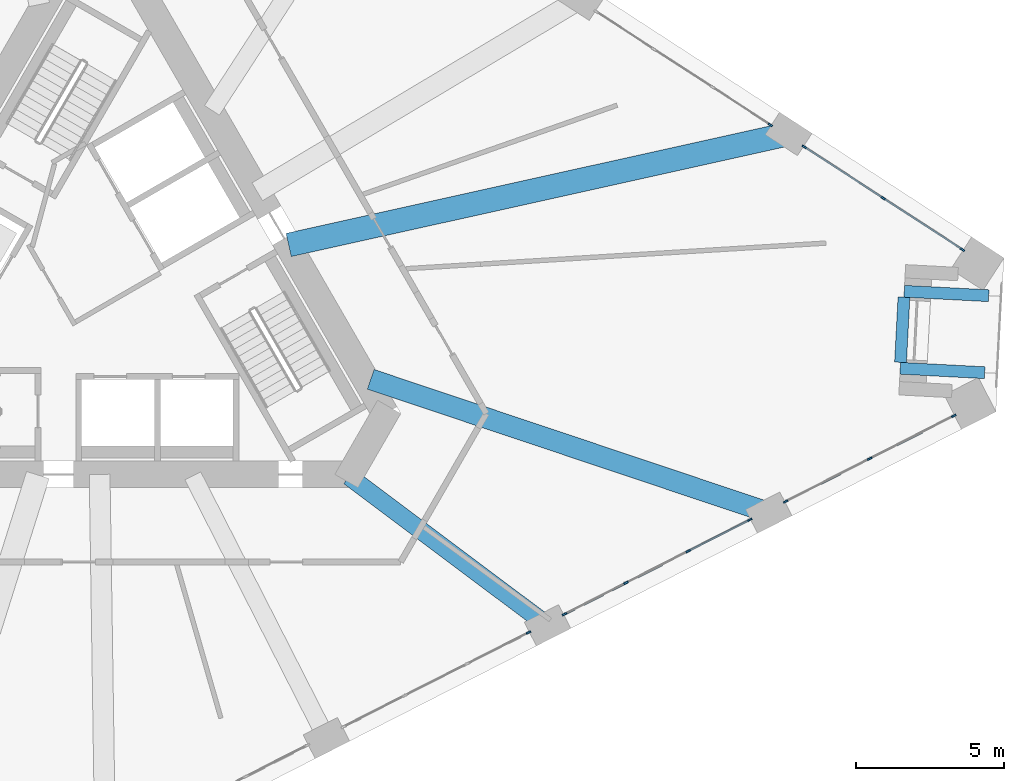
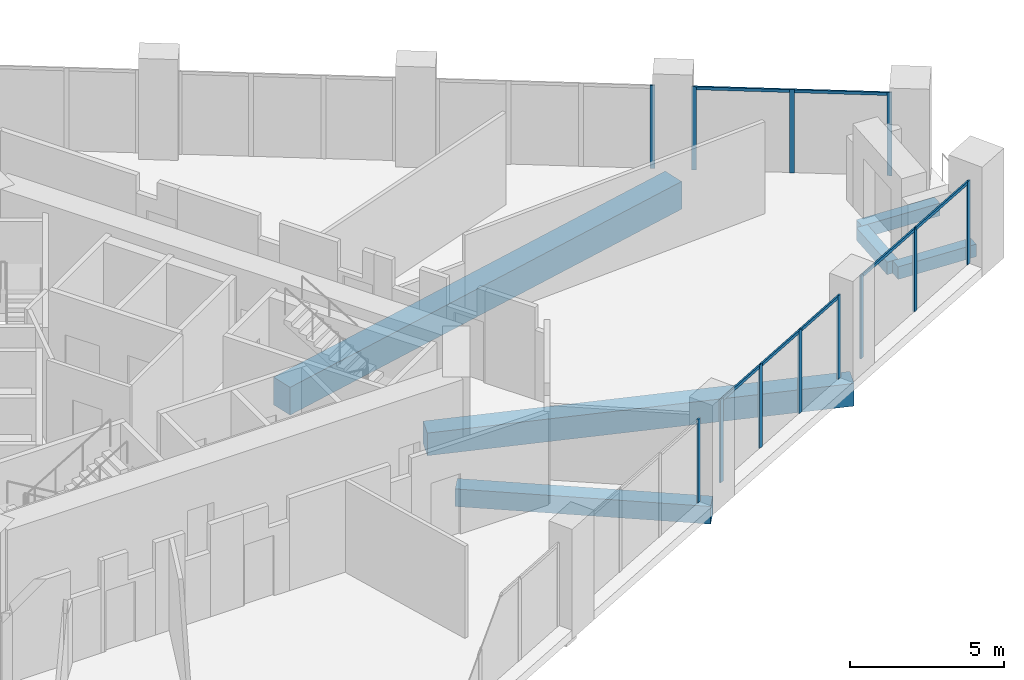
# One storey, part 5 of 18: 19 members, 6 beams, 5 elements without a shape of their own.
"""IFC4 building model written with IfcOpenShell, lengths in metres."""

from ifc_helpers import new_model, si_unit, direction, frame, origin, origin_2d, place, context, subcontext, project, spatial, rectangle, extrude, material, layer, layer_set, material_profile, profile_set, type_object, element, aggregate, save


model = new_model("IFC4")

# Units and contexts
model_context = context("Model", 3, precision=1e-05, world=origin(), true_north=direction((0.0, 1.0)))
body_context = subcontext(model_context, "Body", "Model", "MODEL_VIEW")
ifc_project = project(units=[si_unit("LENGTHUNIT", "METRE"), si_unit("AREAUNIT", "SQUARE_METRE"), si_unit("VOLUMEUNIT", "CUBIC_METRE"), si_unit("PLANEANGLEUNIT", "RADIAN"), si_unit("MASSUNIT", "GRAM", prefix="KILO")], contexts=[model_context])

# Site, building, storey
site_placement = place(None, origin())
site = spatial("IfcSite", under=ifc_project, at=site_placement, CompositionType="ELEMENT")
building_placement = place(site_placement, origin())
building = spatial("IfcBuilding", under=site, at=building_placement, Name="Tramontana Tower", CompositionType="ELEMENT")
storey_placement = place(building_placement, frame((0.0, 0.0, 125.60009765625)))
storey = spatial("IfcBuildingStorey", under=building, at=storey_placement, Name="L28", CompositionType="ELEMENT", Elevation=125.60009765625)

# Curtain wall, member
ifc_material_1 = material(Name="Aluminum extrusion", Category="aluminium")
ifc_layer = layer(ifc_material_1, 0.14990234375)
ifc_layer_set = layer_set([ifc_layer], Name="CW3 Sky lobby 1 curtain wall")
curtain_wall_type = type_object("IfcCurtainWallType", Name="CW3 Sky lobby 1 curtain wall", PredefinedType="NOTDEFINED", material=ifc_layer_set)
curtain_wall_1_placement = place(storey_placement, origin())
curtain_wall_1 = element("IfcCurtainWall", 1, at=curtain_wall_1_placement, inside=storey, type_object=curtain_wall_type, Name="CW3 curtain wall L28 face 1 bay 4", PredefinedType="NOTDEFINED")
ifc_material_2 = material(Name="Aluminum extrusion", Category="aluminium")
ifc_material_profile_1 = material_profile(ifc_material_2, rectangle(XDim=0.06005859375, YDim=0.159912109375, at=origin_2d()), Name="CW3-M Mullion 60 x 160")
ifc_profile_set_1 = profile_set([ifc_material_profile_1], Name="Aluminum extrusion")
member_type_1 = type_object("IfcMemberType", Name="CW3-M Mullion 60 x 160", PredefinedType="MULLION", material=ifc_profile_set_1)
member_1_placement = place(storey_placement, frame((14.559814453125, -11.6328125, 0.0), z_axis=(0.0, 0.0, 1.0), x_axis=(-0.45399049974, 0.891006524188, 0.0)))
member_1 = element("IfcMember", 2, at=member_1_placement, type_object=member_type_1, Name="CW3 curtain wall L28 face 1 bay 4 mullion 4", PredefinedType="MULLION", context=body_context, shape_type="SweptSolid", body=[
    extrude(rectangle(XDim=0.06005859375, YDim=0.159912109375, at=origin_2d()), origin(), (0.0, 0.0, 1.0), 3.2998046875),
])
aggregate(curtain_wall_1, [member_1])

# Curtain wall, members
curtain_wall_2_placement = place(storey_placement, origin())
curtain_wall_2 = element("IfcCurtainWall", 3, at=curtain_wall_2_placement, inside=storey, type_object=curtain_wall_type, Name="CW3 curtain wall L28 face 1 bay 5", PredefinedType="NOTDEFINED")
member_2_placement = place(storey_placement, frame((15.771484375, -11.015625, 0.0), z_axis=(0.0, 0.0, 1.0), x_axis=(-0.45399049974, 0.891006524188, 0.0)))
member_2 = element("IfcMember", 4, at=member_2_placement, type_object=member_type_1, Name="CW3 curtain wall L28 face 1 bay 5 mullion 1", PredefinedType="MULLION", context=body_context, shape_type="SweptSolid", body=[
    extrude(rectangle(XDim=0.06005859375, YDim=0.159912109375, at=origin_2d()), origin(), (0.0, 0.0, 1.0), 3.2998046875),
])
member_3_placement = place(storey_placement, frame((17.844970703125, -9.958984375, 0.0), z_axis=(0.0, 0.0, 1.0), x_axis=(-0.45399049974, 0.891006524188, 0.0)))
member_3 = element("IfcMember", 5, at=member_3_placement, type_object=member_type_1, Name="CW3 curtain wall L28 face 1 bay 5 mullion 2", PredefinedType="MULLION", context=body_context, shape_type="SweptSolid", body=[
    extrude(rectangle(XDim=0.06005859375, YDim=0.159912109375, at=origin_2d()), origin(), (0.0, 0.0, 1.0), 3.2998046875),
])
member_4_placement = place(storey_placement, frame((19.9453125, -8.888916015625, 0.0), z_axis=(0.0, 0.0, 1.0), x_axis=(-0.45399049974, 0.891006524188, 0.0)))
member_4 = element("IfcMember", 6, at=member_4_placement, type_object=member_type_1, Name="CW3 curtain wall L28 face 1 bay 5 mullion 3", PredefinedType="MULLION", context=body_context, shape_type="SweptSolid", body=[
    extrude(rectangle(XDim=0.06005859375, YDim=0.159912109375, at=origin_2d()), origin(), (0.0, 0.0, 1.0), 3.2998046875),
])
member_5_placement = place(storey_placement, frame((22.018798828125, -7.832275390625, 0.0), z_axis=(0.0, 0.0, 1.0), x_axis=(-0.45399049974, 0.891006524188, 0.0)))
member_5 = element("IfcMember", 7, at=member_5_placement, type_object=member_type_1, Name="CW3 curtain wall L28 face 1 bay 5 mullion 4", PredefinedType="MULLION", context=body_context, shape_type="SweptSolid", body=[
    extrude(rectangle(XDim=0.06005859375, YDim=0.159912109375, at=origin_2d()), origin(), (0.0, 0.0, 1.0), 3.2998046875),
])

curtain_wall_3_placement = place(storey_placement, origin())
curtain_wall_3 = element("IfcCurtainWall", 8, at=curtain_wall_3_placement, inside=storey, type_object=curtain_wall_type, Name="CW3 curtain wall L28 face 1 bay 6", PredefinedType="NOTDEFINED")
member_6_placement = place(storey_placement, frame((23.230712890625, -7.21484375, 0.0), z_axis=(0.0, 0.0, 1.0), x_axis=(-0.45399049974, 0.891006524188, 0.0)))
member_6 = element("IfcMember", 9, at=member_6_placement, type_object=member_type_1, Name="CW3 curtain wall L28 face 1 bay 6 mullion 1", PredefinedType="MULLION", context=body_context, shape_type="SweptSolid", body=[
    extrude(rectangle(XDim=0.06005859375, YDim=0.159912109375, at=origin_2d()), origin(), (0.0, 0.0, 1.0), 3.2998046875),
])
member_7_placement = place(storey_placement, frame((26.064697265625, -5.770751953125, 0.0), z_axis=(0.0, 0.0, 1.0), x_axis=(-0.45399049974, 0.891006524188, 0.0)))
member_7 = element("IfcMember", 10, at=member_7_placement, type_object=member_type_1, Name="CW3 curtain wall L28 face 1 bay 6 mullion 2", PredefinedType="MULLION", context=body_context, shape_type="SweptSolid", body=[
    extrude(rectangle(XDim=0.06005859375, YDim=0.159912109375, at=origin_2d()), origin(), (0.0, 0.0, 1.0), 3.2998046875),
])
member_8_placement = place(storey_placement, frame((28.89892578125, -4.326904296875, 0.0), z_axis=(0.0, 0.0, 1.0), x_axis=(-0.45399049974, 0.891006524188, 0.0)))
member_8 = element("IfcMember", 11, at=member_8_placement, type_object=member_type_1, Name="CW3 curtain wall L28 face 1 bay 6 mullion 3", PredefinedType="MULLION", context=body_context, shape_type="SweptSolid", body=[
    extrude(rectangle(XDim=0.06005859375, YDim=0.159912109375, at=origin_2d()), origin(), (0.0, 0.0, 1.0), 3.2998046875),
])

curtain_wall_4_placement = place(storey_placement, origin())
curtain_wall_4 = element("IfcCurtainWall", 12, at=curtain_wall_4_placement, inside=storey, type_object=curtain_wall_type, Name="CW3 curtain wall L28 face 2 bay 1", PredefinedType="NOTDEFINED")
member_9_placement = place(storey_placement, frame((29.19287109375, 1.2822265625, 0.0), z_axis=(0.0, 0.0, 1.0), x_axis=(-0.544639035015, -0.838670567945, 0.0)))
member_9 = element("IfcMember", 13, at=member_9_placement, type_object=member_type_1, Name="CW3 curtain wall L28 face 2 bay 1 mullion 1", PredefinedType="MULLION", context=body_context, shape_type="SweptSolid", body=[
    extrude(rectangle(XDim=0.06005859375, YDim=0.159912109375, at=origin_2d()), origin(), (0.0, 0.0, 1.0), 3.2998046875),
])
member_10_placement = place(storey_placement, frame((26.525146484375, 3.0146484375, 0.0), z_axis=(0.0, 0.0, 1.0), x_axis=(-0.544639035015, -0.838670567945, 0.0)))
member_10 = element("IfcMember", 14, at=member_10_placement, type_object=member_type_1, Name="CW3 curtain wall L28 face 2 bay 1 mullion 2", PredefinedType="MULLION", context=body_context, shape_type="SweptSolid", body=[
    extrude(rectangle(XDim=0.06005859375, YDim=0.159912109375, at=origin_2d()), origin(), (0.0, 0.0, 1.0), 3.2998046875),
])
member_11_placement = place(storey_placement, frame((23.857421875, 4.7470703125, 0.0), z_axis=(0.0, 0.0, 1.0), x_axis=(-0.544639035015, -0.838670567945, 0.0)))
member_11 = element("IfcMember", 15, at=member_11_placement, type_object=member_type_1, Name="CW3 curtain wall L28 face 2 bay 1 mullion 3", PredefinedType="MULLION", context=body_context, shape_type="SweptSolid", body=[
    extrude(rectangle(XDim=0.06005859375, YDim=0.159912109375, at=origin_2d()), origin(), (0.0, 0.0, 1.0), 3.2998046875),
])

# Curtain wall, member
curtain_wall_5_placement = place(storey_placement, origin())
curtain_wall_5 = element("IfcCurtainWall", 16, at=curtain_wall_5_placement, inside=storey, type_object=curtain_wall_type, Name="CW3 curtain wall L28 face 2 bay 2", PredefinedType="NOTDEFINED")
member_12_placement = place(storey_placement, frame((22.717041015625, 5.48779296875, 0.0), z_axis=(0.0, 0.0, 1.0), x_axis=(-0.544639035015, -0.838670567945, 0.0)))
member_12 = element("IfcMember", 17, at=member_12_placement, type_object=member_type_1, Name="CW3 curtain wall L28 face 2 bay 2 mullion 1", PredefinedType="MULLION", context=body_context, shape_type="SweptSolid", body=[
    extrude(rectangle(XDim=0.06005859375, YDim=0.159912109375, at=origin_2d()), origin(), (0.0, 0.0, 1.0), 3.2998046875),
])
aggregate(curtain_wall_5, [member_12])

# Member
ifc_material_3 = material(Name="Aluminum extrusion", Category="aluminium")
ifc_material_profile_2 = material_profile(ifc_material_3, rectangle(XDim=0.06005859375, YDim=0.1201171875, at=origin_2d()), Name="CW3-T Transom 60 x 120")
ifc_profile_set_2 = profile_set([ifc_material_profile_2], Name="Aluminum extrusion")
member_type_2 = type_object("IfcMemberType", Name="CW3-T Transom 60 x 120", PredefinedType="USERDEFINED", material=ifc_profile_set_2)
member_13_placement = place(storey_placement, frame((15.79833984375, -11.001953125, 3.239990234375), z_axis=(0.890998403094, 0.454006437932, 0.0), x_axis=(-0.454006437932, 0.890998403094, 0.0)))
member_13 = element("IfcMember", 18, at=member_13_placement, type_object=member_type_2, Name="CW3 curtain wall L28 face 1 bay 5 transom 1.1", ObjectType="TRANSOM", PredefinedType="USERDEFINED", context=body_context, shape_type="SweptSolid", body=[
    extrude(rectangle(XDim=0.06005859375, YDim=0.1201171875, at=origin_2d()), origin(), (0.0, 0.0, 1.0), 2.26708984375),
])

member_14_placement = place(storey_placement, frame((17.871826171875, -9.9453125, 3.239990234375), z_axis=(0.891000564526, 0.454002196046, 0.0), x_axis=(-0.454002196046, 0.891000564526, 0.0)))
member_14 = element("IfcMember", 19, at=member_14_placement, type_object=member_type_2, Name="CW3 curtain wall L28 face 1 bay 5 transom 2.1", ObjectType="TRANSOM", PredefinedType="USERDEFINED", context=body_context, shape_type="SweptSolid", body=[
    extrude(rectangle(XDim=0.06005859375, YDim=0.1201171875, at=origin_2d()), origin(), (0.0, 0.0, 1.0), 2.29736328125),
])

member_15_placement = place(storey_placement, frame((19.97216796875, -8.875244140625, 3.239990234375), z_axis=(0.890998403094, 0.454006437932, 0.0), x_axis=(-0.454006437932, 0.890998403094, 0.0)))
member_15 = element("IfcMember", 20, at=member_15_placement, type_object=member_type_2, Name="CW3 curtain wall L28 face 1 bay 5 transom 3.1", ObjectType="TRANSOM", PredefinedType="USERDEFINED", context=body_context, shape_type="SweptSolid", body=[
    extrude(rectangle(XDim=0.06005859375, YDim=0.1201171875, at=origin_2d()), origin(), (0.0, 0.0, 1.0), 2.26708984375),
])

aggregate(curtain_wall_2, [member_2, member_3, member_4, member_5, member_13, member_14, member_15])

member_16_placement = place(storey_placement, frame((23.25732421875, -7.201171875, 3.239990234375), z_axis=(0.891022183355, 0.453959765585, 0.0), x_axis=(-0.453959765585, 0.891022183355, 0.0)))
member_16 = element("IfcMember", 21, at=member_16_placement, type_object=member_type_2, Name="CW3 curtain wall L28 face 1 bay 6 transom 1.1", ObjectType="TRANSOM", PredefinedType="USERDEFINED", context=body_context, shape_type="SweptSolid", body=[
    extrude(rectangle(XDim=0.06005859375, YDim=0.1201171875, at=origin_2d()), origin(), (0.0, 0.0, 1.0), 3.120849609375),
])

member_17_placement = place(storey_placement, frame((26.091552734375, -5.75732421875, 3.239990234375), z_axis=(0.890974413018, 0.45405351595, 0.0), x_axis=(-0.45405351595, 0.890974413018, 0.0)))
member_17 = element("IfcMember", 22, at=member_17_placement, type_object=member_type_2, Name="CW3 curtain wall L28 face 1 bay 6 transom 2.1", ObjectType="TRANSOM", PredefinedType="USERDEFINED", context=body_context, shape_type="SweptSolid", body=[
    extrude(rectangle(XDim=0.06005859375, YDim=0.1201171875, at=origin_2d()), origin(), (0.0, 0.0, 1.0), 3.120849609375),
])

aggregate(curtain_wall_3, [member_6, member_7, member_8, member_16, member_17])

member_18_placement = place(storey_placement, frame((29.167724609375, 1.298583984375, 3.239990234375), z_axis=(-0.838681244854, 0.544622593664, 0.0), x_axis=(-0.544622593664, -0.838681244854, 0.0)))
member_18 = element("IfcMember", 23, at=member_18_placement, type_object=member_type_2, Name="CW3 curtain wall L28 face 2 bay 1 transom 1.1", ObjectType="TRANSOM", PredefinedType="USERDEFINED", context=body_context, shape_type="SweptSolid", body=[
    extrude(rectangle(XDim=0.06005859375, YDim=0.1201171875, at=origin_2d()), origin(), (0.0, 0.0, 1.0), 3.120849609375),
])

member_19_placement = place(storey_placement, frame((26.5, 3.031005859375, 3.239990234375), z_axis=(-0.8386580391, 0.544658327259, 0.0), x_axis=(-0.544658327259, -0.8386580391, 0.0)))
member_19 = element("IfcMember", 24, at=member_19_placement, type_object=member_type_2, Name="CW3 curtain wall L28 face 2 bay 1 transom 2.1", ObjectType="TRANSOM", PredefinedType="USERDEFINED", context=body_context, shape_type="SweptSolid", body=[
    extrude(rectangle(XDim=0.06005859375, YDim=0.1201171875, at=origin_2d()), origin(), (0.0, 0.0, 1.0), 3.12060546875),
])

aggregate(curtain_wall_4, [member_9, member_10, member_11, member_18, member_19])

# Beams
ifc_material_4 = material(Name="Concrete 40 MPa", Category="concrete")
ifc_material_profile_3 = material_profile(ifc_material_4, rectangle(XDim=0.60009765625, YDim=0.699951171875, at=origin_2d()), Name="RC GIRDER 600X700 40 MPa")
ifc_profile_set_3 = profile_set([ifc_material_profile_3], Name="Concrete 40 MPa")
beam_type_1 = type_object("IfcBeamType", Name="RC GIRDER 600X700 40 MPa", PredefinedType="BEAM", material=ifc_profile_set_3)
beam_1_placement = place(storey_placement, frame((15.19970703125, -11.39111328125, -0.7001953125), z_axis=(-0.800213580839, 0.599715119904, 0.0), x_axis=(-0.599715119904, -0.800213580839, 0.0)))
element("IfcBeam", 25, at=beam_1_placement, inside=storey, type_object=beam_type_1, Name="Radial girder C3F09 L28", PredefinedType="BEAM", context=body_context, shape_type="SweptSolid", body=[
    extrude(rectangle(XDim=0.60009765625, YDim=0.699951171875, at=origin_2d()), origin(), (0.0, 0.0, 1.0), 8.365478515625),
])
ifc_material_5 = material(Name="Concrete 40 MPa", Category="concrete")
ifc_material_profile_4 = material_profile(ifc_material_5, rectangle(XDim=0.699951171875, YDim=0.89990234375, at=origin_2d()), Name="RC GIRDER 700X900 40 MPa")
ifc_profile_set_4 = profile_set([ifc_material_profile_4], Name="Concrete 40 MPa")
beam_type_2 = type_object("IfcBeamType", Name="RC GIRDER 700X900 40 MPa", PredefinedType="BEAM", material=ifc_profile_set_4)
beam_2_placement = place(storey_placement, frame((22.65869140625, -7.59033203125, -0.800048828125), z_axis=(-0.948211400457, 0.317639953476, 0.0), x_axis=(-0.317639953476, -0.948211400457, 0.0)))
element("IfcBeam", 26, at=beam_2_placement, inside=storey, type_object=beam_type_2, Name="Radial girder C3F10 L28", PredefinedType="BEAM", context=body_context, shape_type="SweptSolid", body=[
    extrude(rectangle(XDim=0.699951171875, YDim=0.89990234375, at=origin_2d()), origin(), (0.0, 0.0, 1.0), 14.155517578125),
])
ifc_material_6 = material(Name="Concrete 40 MPa", Category="concrete")
ifc_material_profile_5 = material_profile(ifc_material_6, rectangle(XDim=0.800048828125, YDim=1.10009765625, at=origin_2d()), Name="RC GIRDER 800X1100 40 MPa")
ifc_profile_set_5 = profile_set([ifc_material_profile_5], Name="Concrete 40 MPa")
beam_type_3 = type_object("IfcBeamType", Name="RC GIRDER 800X1100 40 MPa", PredefinedType="BEAM", material=ifc_profile_set_5)
beam_3_placement = place(storey_placement, frame((23.328125, 5.180419921875, -0.900146484375), z_axis=(-0.976217985391, -0.216791247516, 0.0), x_axis=(0.216791247516, -0.976217985391, 0.0)))
element("IfcBeam", 27, at=beam_3_placement, inside=storey, type_object=beam_type_3, Name="Radial girder C3F11 L28", PredefinedType="BEAM", context=body_context, shape_type="SweptSolid", body=[
    extrude(rectangle(XDim=0.800048828125, YDim=1.10009765625, at=origin_2d()), origin(), (0.0, 0.0, 1.0), 17.26953125),
])
ifc_material_7 = material(Name="Concrete 40 MPa", Category="concrete")
ifc_material_profile_6 = material_profile(ifc_material_7, rectangle(XDim=0.39990234375, YDim=0.5, at=origin_2d()), Name="RC TRIM BEAM 400X500 40 MPa")
ifc_profile_set_6 = profile_set([ifc_material_profile_6], Name="Concrete 40 MPa")
beam_type_4 = type_object("IfcBeamType", Name="RC TRIM BEAM 400X500 40 MPa", PredefinedType="JOIST", material=ifc_profile_set_6)
beam_4_placement = place(storey_placement, frame((27.105224609375, -2.52197265625, -0.60009765625), z_axis=(0.052267607167, 0.998633114432, 0.0), x_axis=(-0.998633114432, 0.052267607167, 0.0)))
element("IfcBeam", 28, at=beam_4_placement, inside=storey, type_object=beam_type_4, Name="Trimmer beam K2 L28", PredefinedType="JOIST", context=body_context, shape_type="SweptSolid", body=[
    extrude(rectangle(XDim=0.39990234375, YDim=0.5, at=origin_2d()), origin(), (0.0, 0.0, 1.0), 2.199951171875),
])
for number, where, z_axis, x_axis, name in (
    (29, (29.94091796875, -2.870849609375, -0.60009765625), (-0.998629399953, 0.052338528339, 0.0), (-0.052338528339, -0.998629399953, 0.0), "Tray beam K2L L28"),
    (30, (30.076904296875, -0.2744140625, -0.60009765625), (-0.998629399953, 0.052338528339, 0.0), (-0.052338528339, -0.998629399953, 0.0), "Tray beam K2R L28"),
):
    element("IfcBeam", number, at=place(storey_placement, frame(where, z_axis=z_axis, x_axis=x_axis)), inside=storey, type_object=beam_type_4, Name=name, PredefinedType="JOIST", context=body_context, shape_type="SweptSolid", body=[
        extrude(rectangle(XDim=0.39990234375, YDim=0.5, at=origin_2d()), origin(), (0.0, 0.0, 1.0), 2.85009765625),
    ])

save(model, "model.ifc")
